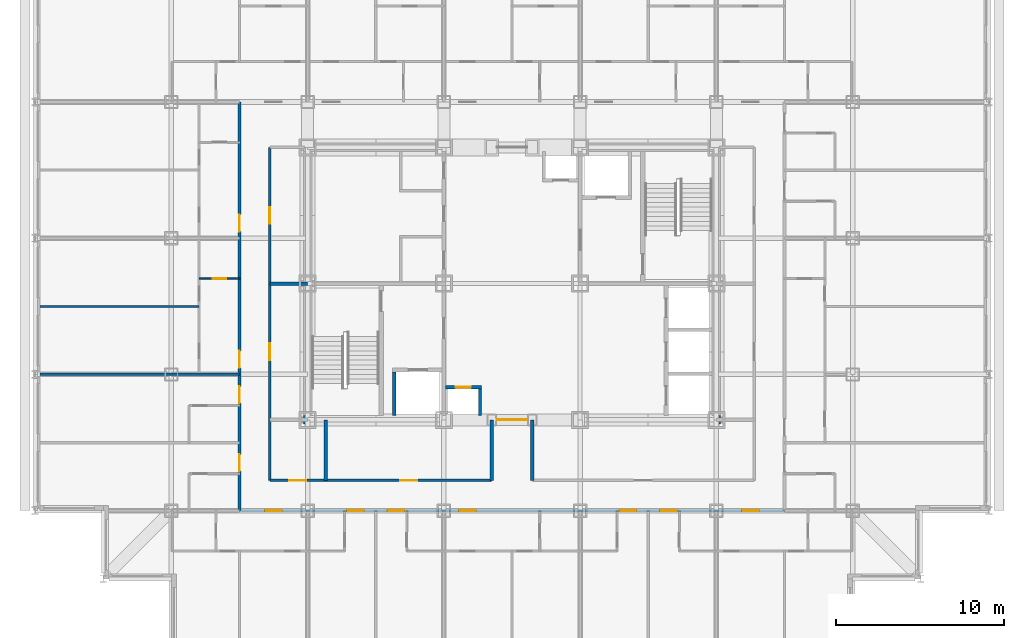
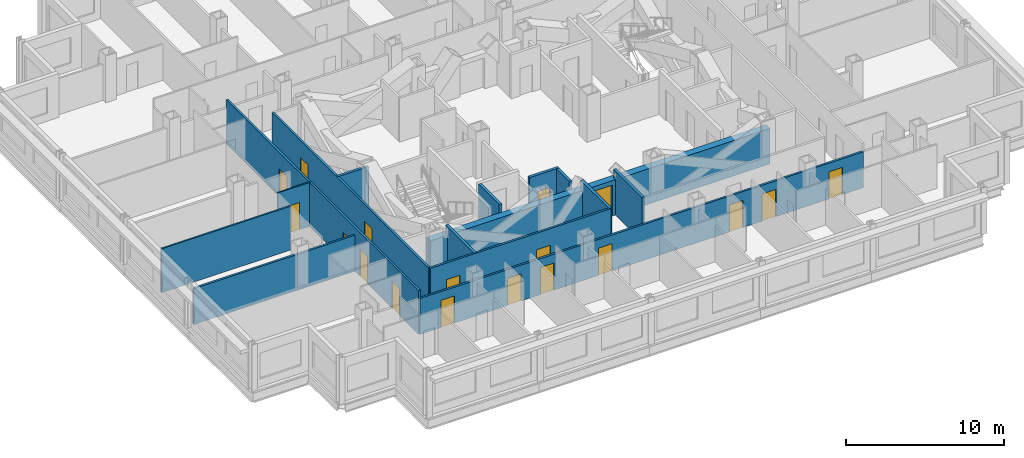
# One storey, part 5 of 12: 18 doors, 15 walls, 18 openings.
"""IFC4 building model written with IfcOpenShell, lengths in metres."""

import ifcopenshell
import ifcopenshell.guid

model = None  # the IFC model being written
_history = None  # IfcOwnerHistory: only IFC2X3 demands one
_inside = {}  # id of a spatial element -> (the spatial element, [elements in it])
_under = {}  # id of a project, library or spatial element -> (it, [spatial elements below it])
_declared = {}  # id of a project -> (the project, [libraries it declares])
_typed = {}  # id of a type object -> (the type object, [elements of that type])
_made_of = {}  # id of a material, layer set ... -> (it, [elements and type objects made of it])


def new_model(schema):
    """Start an empty IFC model of exactly this schema.

    Asked for "IFC4X3", IfcOpenShell would pick the latest addendum, in which some entities
    have other attributes; the version numbers below select the first issue.
    IFC2X3 requires an IfcOwnerHistory on every rooted entity: one is made here for all.
    """
    global model, _history
    if schema == "IFC4X3":
        model = ifcopenshell.file(schema_version=(4, 3, 0, 0))
    else:
        model = ifcopenshell.file(schema=schema)
    _inside.clear()
    _under.clear()
    _declared.clear()
    _typed.clear()
    _made_of.clear()
    _history = None
    if model.schema == "IFC2X3":
        org = make("IfcOrganization", Name="unknown")
        user = make(
            "IfcPersonAndOrganization",
            ThePerson=make("IfcPerson", FamilyName="unknown"),
            TheOrganization=org,
        )
        app = make(
            "IfcApplication",
            ApplicationDeveloper=org,
            Version="unknown",
            ApplicationFullName="unknown",
            ApplicationIdentifier="unknown",
        )
        _history = make(
            "IfcOwnerHistory",
            OwningUser=user,
            OwningApplication=app,
            ChangeAction="ADDED",
            CreationDate=0,
        )
    return model


def make(cls, **values):
    """One entity of the class cls with the attributes given. An attribute that is None is left unset."""
    return model.create_entity(
        cls, **{name: value for name, value in values.items() if value is not None}
    )


def rooted(cls, **values):
    """An entity with a GlobalId (a new one), such as an element, a storey or a relation."""
    return make(cls, GlobalId=ifcopenshell.guid.new(), OwnerHistory=_history, **values)


def si_unit(unit_type, name, prefix=None):
    """IfcSIUnit, for example si_unit("LENGTHUNIT", "METRE", prefix="MILLI")."""
    return make("IfcSIUnit", UnitType=unit_type, Prefix=prefix, Name=name)


def assignment(units):
    """IfcUnitAssignment: the units of a project."""
    return None if units is None else make("IfcUnitAssignment", Units=units)


def point(xyz):
    """IfcCartesianPoint."""
    return None if xyz is None else make("IfcCartesianPoint", Coordinates=xyz)


def direction(xyz):
    """IfcDirection."""
    return None if xyz is None else make("IfcDirection", DirectionRatios=xyz)


def frame(location, z_axis=None, x_axis=None):
    """IfcAxis2Placement3D, a coordinate frame: its origin and axes. An axis left out is left unset."""
    return make(
        "IfcAxis2Placement3D",
        Location=point(location),
        Axis=direction(z_axis),
        RefDirection=direction(x_axis),
    )


def frame_2d(location, x_axis=None):
    """IfcAxis2Placement2D, a coordinate frame in the plane: its origin and x axis."""
    return make(
        "IfcAxis2Placement2D", Location=point(location), RefDirection=direction(x_axis)
    )


def origin():
    """The frame at (0, 0, 0) with its axes left unset."""
    return frame((0.0, 0.0, 0.0))


def place(relative_to, where):
    """IfcLocalPlacement: puts the frame where relative to a parent placement (None: the world)."""
    return make(
        "IfcLocalPlacement", PlacementRelTo=relative_to, RelativePlacement=where
    )


def context(
    kind, dimensions, precision=None, world=None, true_north=None, identifier=None
):
    """IfcGeometricRepresentationContext, for example the 3D "Model" context."""
    return make(
        "IfcGeometricRepresentationContext",
        ContextIdentifier=identifier,
        ContextType=kind,
        CoordinateSpaceDimension=dimensions,
        Precision=precision,
        WorldCoordinateSystem=world,
        TrueNorth=true_north,
    )


def subcontext(parent, identifier, kind, view, scale=None):
    """IfcGeometricRepresentationSubContext, for example "Body" below "Model"."""
    return make(
        "IfcGeometricRepresentationSubContext",
        ContextIdentifier=identifier,
        ContextType=kind,
        ParentContext=parent,
        TargetScale=scale,
        TargetView=view,
    )


def project(units=None, contexts=None):
    """IfcProject with its units and contexts."""
    return rooted(
        "IfcProject",
        Name="project",
        RepresentationContexts=contexts,
        UnitsInContext=assignment(units),
    )


def spatial(cls, under=None, at=None, **own):
    """A site, building, storey or space (cls), placed at a placement, below another one or the project."""
    s = rooted(cls, ObjectPlacement=at, **own)
    if under is not None:
        _under.setdefault(under.id(), (under, []))[1].append(s)
    return s


def profile(cls, at=None, kind="AREA", **sizes):
    """A parametric profile (cls). Its sizes go by their IFC names, for example OverallWidth=200.0."""
    return make(cls, ProfileType=kind, Position=at, **sizes)


def rectangle(**sizes):
    """IfcRectangleProfileDef."""
    return profile("IfcRectangleProfileDef", **sizes)


def extrude(swept, where, along, depth):
    """IfcExtrudedAreaSolid: the profile swept, set in the frame where, extruded along a direction by depth."""
    return make(
        "IfcExtrudedAreaSolid",
        SweptArea=swept,
        Position=where,
        ExtrudedDirection=direction(along),
        Depth=depth,
    )


def shape(context_of_items, identifier, shape_type, items):
    """IfcShapeRepresentation: the items that make up one representation, for example the "Body"."""
    return make(
        "IfcShapeRepresentation",
        ContextOfItems=context_of_items,
        RepresentationIdentifier=identifier,
        RepresentationType=shape_type,
        Items=items,
    )


def material(Name=None, Category=None):
    """IfcMaterial."""
    return make("IfcMaterial", Name=Name, Category=Category)


def layer(
    of_material, thickness, ventilated=None, Name=None, Category=None, Priority=None
):
    """IfcMaterialLayer: one layer of a wall or slab, of a material (None: an air gap)."""
    return make(
        "IfcMaterialLayer",
        Material=of_material,
        LayerThickness=thickness,
        IsVentilated=ventilated,
        Name=Name,
        Category=Category,
        Priority=Priority,
    )


def layer_set(layers, Name=None):
    """IfcMaterialLayerSet."""
    return make("IfcMaterialLayerSet", MaterialLayers=layers, LayerSetName=Name)


def made_of(thing, what):
    """Note that an element or type object is made of a material, layer set ...; save() writes the relation."""
    if what is not None:
        _made_of.setdefault(what.id(), (what, []))[1].append(thing)
    return thing


def type_object(cls, material=None, **own):
    """A type object (cls), such as IfcWallType, which elements share."""
    return made_of(rooted(cls, **own), material)


def element(
    cls,
    number,
    at=None,
    inside=None,
    cuts=None,
    type_object=None,
    material=None,
    context=None,
    identifier="Body",
    shape_type=None,
    held_by="IfcProductDefinitionShape",
    body=None,
    shapes=None,
    **own,
):
    """One element of the class cls, such as IfcWall. Its Tag is "e" and its number.

    at: its placement. inside: the storey or other place that contains it. cuts: it is an
    opening in that element (IfcRelVoidsElement). A single representation is given by context,
    identifier, shape_type and body (its items); several are given by shapes. held_by: the class
    of the entity that holds the representations. save() writes the other relations.
    """
    e = rooted(cls, Tag="e%d" % number, ObjectPlacement=at, **own)
    if body is not None:
        shapes = [shape(context, identifier, shape_type, body)]
    if shapes is not None:
        e.Representation = make(held_by, Representations=shapes)
    if inside is not None:
        _inside.setdefault(inside.id(), (inside, []))[1].append(e)
    if cuts is not None:
        rooted(
            "IfcRelVoidsElement", RelatingBuildingElement=cuts, RelatedOpeningElement=e
        )
    if type_object is not None:
        _typed.setdefault(type_object.id(), (type_object, []))[1].append(e)
    return made_of(e, material)


def fill(opening, filler):
    """IfcRelFillsElement: the door or window that sits in an opening."""
    return rooted(
        "IfcRelFillsElement",
        RelatingOpeningElement=opening,
        RelatedBuildingElement=filler,
    )


def aggregate(whole, parts):
    """IfcRelAggregates: a whole, such as a stair, and the parts it consists of."""
    return rooted("IfcRelAggregates", RelatingObject=whole, RelatedObjects=parts)


def save(model, path):
    """Write the relations noted so far, then the file.

    IfcRelAggregates (storeys below a building ...), IfcRelContainedInSpatialStructure (elements
    in a storey), IfcRelDefinesByType, IfcRelAssociatesMaterial and IfcRelDeclares: one each for
    every whole, place, type object, material and project.
    """
    for whole, parts in _under.values():
        aggregate(whole, parts)
    for where, things in _inside.values():
        rooted(
            "IfcRelContainedInSpatialStructure",
            RelatedElements=things,
            RelatingStructure=where,
        )
    for kind, things in _typed.values():
        rooted("IfcRelDefinesByType", RelatedObjects=things, RelatingType=kind)
    for what, things in _made_of.values():
        rooted("IfcRelAssociatesMaterial", RelatedObjects=things, RelatingMaterial=what)
    for by, libraries in _declared.values():
        rooted("IfcRelDeclares", RelatingContext=by, RelatedDefinitions=libraries)
    model.write(path)


model = new_model("IFC4")

# Units and contexts
model_context = context("Model", 3, precision=1e-05, world=origin(), true_north=direction((0.0, 1.0)))
body_context = subcontext(model_context, "Body", "Model", "MODEL_VIEW")
ifc_project = project(units=[si_unit("LENGTHUNIT", "METRE"), si_unit("AREAUNIT", "SQUARE_METRE"), si_unit("VOLUMEUNIT", "CUBIC_METRE"), si_unit("PLANEANGLEUNIT", "RADIAN"), si_unit("MASSUNIT", "GRAM", prefix="KILO")], contexts=[model_context])

# Site, building, storey
site_placement = place(None, origin())
site = spatial("IfcSite", under=ifc_project, at=site_placement, CompositionType="ELEMENT")
building_placement = place(site_placement, origin())
building = spatial("IfcBuilding", under=site, at=building_placement, Name="Kopane Lantern Tower", CompositionType="ELEMENT")
storey_placement = place(building_placement, frame((0.0, 0.0, 170.39990234375)))
storey = spatial("IfcBuildingStorey", under=building, at=storey_placement, Name="L43", CompositionType="ELEMENT", Elevation=170.39990234375)

# Wall
ifc_material_1 = material(Name="Gypsum board on steel studs", Category="steel")
ifc_layer_1 = layer(ifc_material_1, 0.1201171875)
ifc_layer_set_1 = layer_set([ifc_layer_1], Name="APARTMENT INTERNAL WALL 120")
wall_type_1 = type_object("IfcWallType", Name="APARTMENT INTERNAL WALL 120", PredefinedType="PARTITIONING", material=ifc_layer_set_1)
wall_1_placement = place(storey_placement, frame((9.75, 31.050048828125, 0.0), z_axis=(0.0, 0.0, 1.0), x_axis=(-1.0, 0.0, 0.0)))
element("IfcWall", 1, at=wall_1_placement, inside=storey, type_object=wall_type_1, Name="Apartment Internal Wall 120 L43", PredefinedType="PARTITIONING", context=body_context, shape_type="SweptSolid", body=[
    extrude(rectangle(XDim=9.449951171875, YDim=0.1201171875, at=frame_2d((4.72509765625, 0.0))), origin(), (0.0, 0.0, 1.0), 3.39013671875),
])

# Wall, opening, door
ifc_material_2 = material(Name="Moisture-resistant board on steel studs", Category="steel")
ifc_layer_2 = layer(ifc_material_2, 0.10009765625)
ifc_layer_set_2 = layer_set([ifc_layer_2], Name="BATHROOM WALL 100")
wall_type_2 = type_object("IfcWallType", Name="BATHROOM WALL 100", PredefinedType="PARTITIONING", material=ifc_layer_set_2)
wall_2_placement = place(storey_placement, frame((12.14990234375, 32.699951171875, 0.0), z_axis=(0.0, 0.0, 1.0), x_axis=(-1.0, 0.0, 0.0)))
wall_2 = element("IfcWall", 2, at=wall_2_placement, inside=storey, type_object=wall_type_2, Name="Bathroom Wall 100 L43", PredefinedType="PARTITIONING", context=body_context, shape_type="SweptSolid", body=[
    extrude(rectangle(XDim=2.39990234375, YDim=0.10009765625, at=frame_2d((1.199951171875, 0.0))), origin(), (0.0, 0.0, 1.0), 3.39013671875),
])
opening_1_placement = place(wall_2_placement, frame((0.800048828125, 0.0, 0.0)))
opening_1 = element("IfcOpeningElement", 3, at=opening_1_placement, cuts=wall_2, Name="Opening L43-036", PredefinedType="OPENING", context=body_context, shape_type="SweptSolid", body=[
    extrude(rectangle(XDim=0.800048828125, YDim=2.10009765625, at=frame_2d((0.39990234375, 1.050048828125))), frame((0.0, 0.06005859375, 0.0), z_axis=(0.0, -1.0, 0.0), x_axis=(1.0, 0.0, 0.0)), (0.0, 0.0, 1.0), 0.1201171875),
])
ifc_material_3 = material(Name="Timber door set", Category="wood")
door_type_1 = type_object("IfcDoorType", Name="DOOR D2 800x2100", OperationType="SINGLE_SWING_LEFT", PredefinedType="DOOR", material=ifc_material_3)
door_1_placement = place(opening_1_placement, origin())
door_1 = element("IfcDoor", 4, at=door_1_placement, inside=storey, type_object=door_type_1, Name="Door L43-036", OperationType="SINGLE_SWING_RIGHT", OverallHeight=2.10009765625, OverallWidth=0.800048828125, PredefinedType="DOOR", context=body_context, shape_type="SweptSolid", body=[
    extrude(rectangle(XDim=0.800048828125, YDim=2.10009765625, at=frame_2d((0.39990234375, 1.050048828125))), frame((0.0, 0.02490234375, 0.0), z_axis=(0.0, -1.0, 0.0), x_axis=(1.0, 0.0, 0.0)), (0.0, 0.0, 1.0), 0.050048828125),
])
fill(opening_1, door_1)

ifc_material_4 = material(Name="Gypsum shaft wall EI 120", Category="gypsum")
ifc_layer_3 = layer(ifc_material_4, 0.5)
ifc_layer_set_3 = layer_set([ifc_layer_3], Name="CORE PERIMETER WALL 500 EI 120")
wall_type_3 = type_object("IfcWallType", Name="CORE PERIMETER WALL 500 EI 120", PredefinedType="SOLIDWALL", material=ifc_layer_set_3)
wall_3_placement = place(storey_placement, frame((15.949951171875, 24.300048828125, 0.0), z_axis=(0.0, 0.0, 1.0), x_axis=(1.0, 0.0, 0.0)))
wall_3 = element("IfcWall", 5, at=wall_3_placement, inside=storey, type_object=wall_type_3, Name="Core shaft wall L43 PS", PredefinedType="SOLIDWALL", context=body_context, shape_type="SweptSolid", body=[
    extrude(rectangle(XDim=24.800048828125, YDim=0.5, at=frame_2d((12.39990234375, 0.0))), origin(), (0.0, 0.0, 1.0), 2.739990234375),
])
opening_2_placement = place(wall_3_placement, frame((11.5, 0.0, 0.0)))
opening_2 = element("IfcOpeningElement", 6, at=opening_2_placement, cuts=wall_3, Name="Opening 43.CE-S", PredefinedType="OPENING", context=body_context, shape_type="SweptSolid", body=[
    extrude(rectangle(XDim=1.800048828125, YDim=2.39990234375, at=frame_2d((0.89990234375, 1.199951171875))), frame((0.0, 0.260009765625, 0.0), z_axis=(0.0, -1.0, 0.0), x_axis=(1.0, 0.0, 0.0)), (0.0, 0.0, 1.0), 0.52001953125),
])
ifc_material_5 = material(Name="Steel door set", Category="steel")
door_type_2 = type_object("IfcDoorType", Name="CORE ENTRY DOOR 1800x2400 FD60S", OperationType="DOUBLE_DOOR_SINGLE_SWING", PredefinedType="DOOR", material=ifc_material_5)
door_2_placement = place(opening_2_placement, origin())
door_2 = element("IfcDoor", 7, at=door_2_placement, inside=storey, type_object=door_type_2, Name="Core entry door L43 south", OperationType="DOUBLE_DOOR_SINGLE_SWING", OverallHeight=2.39990234375, OverallWidth=1.800048828125, PredefinedType="DOOR", context=body_context, shape_type="SweptSolid", body=[
    extrude(rectangle(XDim=1.800048828125, YDim=2.39990234375, at=frame_2d((0.89990234375, 1.199951171875))), frame((0.0, 0.02490234375, 0.0), z_axis=(0.0, -1.0, 0.0), x_axis=(1.0, 0.0, 0.0)), (0.0, 0.0, 1.0), 0.050048828125),
])
fill(opening_2, door_2)

# Wall, openings, doors
ifc_material_6 = material(Name="Gypsum board on steel studs", Category="steel")
ifc_layer_4 = layer(ifc_material_6, 0.14990234375)
ifc_layer_set_4 = layer_set([ifc_layer_4], Name="CORRIDOR WALL 150 EI 60")
wall_type_4 = type_object("IfcWallType", Name="CORRIDOR WALL 150 EI 60", PredefinedType="PARTITIONING", material=ifc_layer_set_4)
wall_4_placement = place(storey_placement, frame((12.14990234375, 18.89990234375, 0.0), z_axis=(0.0, 0.0, 1.0), x_axis=(1.0, 0.0, 0.0)))
wall_4 = element("IfcWall", 8, at=wall_4_placement, inside=storey, type_object=wall_type_4, Name="Corridor Wall 150 Ei 60 L43", PredefinedType="PARTITIONING", context=body_context, shape_type="SweptSolid", body=[
    extrude(rectangle(XDim=32.400146484375, YDim=0.14990234375, at=frame_2d((16.2001953125, 0.0))), origin(), (0.0, 0.0, 1.0), 2.77783203125),
])
opening_3_placement = place(wall_4_placement, frame((6.39990234375, 0.0, 0.0)))
opening_3 = element("IfcOpeningElement", 9, at=opening_3_placement, cuts=wall_4, Name="Opening L43-009", PredefinedType="OPENING", context=body_context, shape_type="SweptSolid", body=[
    extrude(rectangle(XDim=1.0, YDim=2.10009765625, at=frame_2d((0.5, 1.050048828125))), frame((0.0, 0.0849609375, 0.0), z_axis=(0.0, -1.0, 0.0), x_axis=(1.0, 0.0, 0.0)), (0.0, 0.0, 1.0), 0.169921875),
])
opening_4_placement = place(wall_4_placement, frame((8.800048828125, 0.0, 0.0)))
opening_4 = element("IfcOpeningElement", 10, at=opening_4_placement, cuts=wall_4, Name="Opening L43-011", PredefinedType="OPENING", context=body_context, shape_type="SweptSolid", body=[
    extrude(rectangle(XDim=1.0, YDim=2.10009765625, at=frame_2d((0.5, 1.050048828125))), frame((0.0, 0.0849609375, 0.0), z_axis=(0.0, -1.0, 0.0), x_axis=(1.0, 0.0, 0.0)), (0.0, 0.0, 1.0), 0.169921875),
])
opening_5_placement = place(wall_4_placement, frame((13.050048828125, 0.0, 0.0)))
opening_5 = element("IfcOpeningElement", 11, at=opening_5_placement, cuts=wall_4, Name="Opening L43-013", PredefinedType="OPENING", context=body_context, shape_type="SweptSolid", body=[
    extrude(rectangle(XDim=1.0, YDim=2.10009765625, at=frame_2d((0.5, 1.050048828125))), frame((0.0, 0.0849609375, 0.0), z_axis=(0.0, -1.0, 0.0), x_axis=(1.0, 0.0, 0.0)), (0.0, 0.0, 1.0), 0.169921875),
])
opening_6_placement = place(wall_4_placement, frame((22.60009765625, 0.0, 0.0)))
opening_6 = element("IfcOpeningElement", 12, at=opening_6_placement, cuts=wall_4, Name="Opening L43-017", PredefinedType="OPENING", context=body_context, shape_type="SweptSolid", body=[
    extrude(rectangle(XDim=1.0, YDim=2.10009765625, at=frame_2d((0.5, 1.050048828125))), frame((0.0, 0.0849609375, 0.0), z_axis=(0.0, -1.0, 0.0), x_axis=(1.0, 0.0, 0.0)), (0.0, 0.0, 1.0), 0.169921875),
])
opening_7_placement = place(wall_4_placement, frame((25.0, 0.0, 0.0)))
opening_7 = element("IfcOpeningElement", 13, at=opening_7_placement, cuts=wall_4, Name="Opening L43-019", PredefinedType="OPENING", context=body_context, shape_type="SweptSolid", body=[
    extrude(rectangle(XDim=1.0, YDim=2.10009765625, at=frame_2d((0.5, 1.050048828125))), frame((0.0, 0.0849609375, 0.0), z_axis=(0.0, -1.0, 0.0), x_axis=(1.0, 0.0, 0.0)), (0.0, 0.0, 1.0), 0.169921875),
])
opening_8_placement = place(wall_4_placement, frame((1.52490234375, 0.0, 0.0)))
opening_8 = element("IfcOpeningElement", 14, at=opening_8_placement, cuts=wall_4, Name="Opening L43-054", PredefinedType="OPENING", context=body_context, shape_type="SweptSolid", body=[
    extrude(rectangle(XDim=1.0, YDim=2.10009765625, at=frame_2d((0.5, 1.050048828125))), frame((0.0, 0.0849609375, 0.0), z_axis=(0.0, -1.0, 0.0), x_axis=(1.0, 0.0, 0.0)), (0.0, 0.0, 1.0), 0.169921875),
])
opening_9_placement = place(wall_4_placement, frame((29.875, 0.0, 0.0)))
opening_9 = element("IfcOpeningElement", 15, at=opening_9_placement, cuts=wall_4, Name="Opening L43-058", PredefinedType="OPENING", context=body_context, shape_type="SweptSolid", body=[
    extrude(rectangle(XDim=1.0, YDim=2.10009765625, at=frame_2d((0.5, 1.050048828125))), frame((0.0, 0.0849609375, 0.0), z_axis=(0.0, -1.0, 0.0), x_axis=(1.0, 0.0, 0.0)), (0.0, 0.0, 1.0), 0.169921875),
])
ifc_material_7 = material(Name="Steel door set", Category="steel")
door_type_3 = type_object("IfcDoorType", Name="DOOR D3 1000x2100 FD30S", OperationType="SINGLE_SWING_LEFT", PredefinedType="DOOR", material=ifc_material_7)
door_3_placement = place(opening_3_placement, origin())
door_3 = element("IfcDoor", 16, at=door_3_placement, inside=storey, type_object=door_type_3, Name="Door L43-009", OperationType="SINGLE_SWING_RIGHT", OverallHeight=2.10009765625, OverallWidth=1.0, PredefinedType="DOOR", context=body_context, shape_type="SweptSolid", body=[
    extrude(rectangle(XDim=1.0, YDim=2.10009765625, at=frame_2d((0.5, 1.050048828125))), frame((0.0, 0.02490234375, 0.0), z_axis=(0.0, -1.0, 0.0), x_axis=(1.0, 0.0, 0.0)), (0.0, 0.0, 1.0), 0.050048828125),
])
fill(opening_3, door_3)
door_4_placement = place(opening_4_placement, origin())
door_4 = element("IfcDoor", 17, at=door_4_placement, inside=storey, type_object=door_type_3, Name="Door L43-011", OperationType="SINGLE_SWING_LEFT", OverallHeight=2.10009765625, OverallWidth=1.0, PredefinedType="DOOR", context=body_context, shape_type="SweptSolid", body=[
    extrude(rectangle(XDim=1.0, YDim=2.10009765625, at=frame_2d((0.5, 1.050048828125))), frame((0.0, 0.02490234375, 0.0), z_axis=(0.0, -1.0, 0.0), x_axis=(1.0, 0.0, 0.0)), (0.0, 0.0, 1.0), 0.050048828125),
])
fill(opening_4, door_4)
door_5_placement = place(opening_5_placement, origin())
door_5 = element("IfcDoor", 18, at=door_5_placement, inside=storey, type_object=door_type_3, Name="Door L43-013", OperationType="SINGLE_SWING_RIGHT", OverallHeight=2.10009765625, OverallWidth=1.0, PredefinedType="DOOR", context=body_context, shape_type="SweptSolid", body=[
    extrude(rectangle(XDim=1.0, YDim=2.10009765625, at=frame_2d((0.5, 1.050048828125))), frame((0.0, 0.02490234375, 0.0), z_axis=(0.0, -1.0, 0.0), x_axis=(1.0, 0.0, 0.0)), (0.0, 0.0, 1.0), 0.050048828125),
])
fill(opening_5, door_5)
door_6_placement = place(opening_6_placement, origin())
door_6 = element("IfcDoor", 19, at=door_6_placement, inside=storey, type_object=door_type_3, Name="Door L43-017", OperationType="SINGLE_SWING_RIGHT", OverallHeight=2.10009765625, OverallWidth=1.0, PredefinedType="DOOR", context=body_context, shape_type="SweptSolid", body=[
    extrude(rectangle(XDim=1.0, YDim=2.10009765625, at=frame_2d((0.5, 1.050048828125))), frame((0.0, 0.02490234375, 0.0), z_axis=(0.0, -1.0, 0.0), x_axis=(1.0, 0.0, 0.0)), (0.0, 0.0, 1.0), 0.050048828125),
])
fill(opening_6, door_6)
door_7_placement = place(opening_7_placement, origin())
door_7 = element("IfcDoor", 20, at=door_7_placement, inside=storey, type_object=door_type_3, Name="Door L43-019", OperationType="SINGLE_SWING_LEFT", OverallHeight=2.10009765625, OverallWidth=1.0, PredefinedType="DOOR", context=body_context, shape_type="SweptSolid", body=[
    extrude(rectangle(XDim=1.0, YDim=2.10009765625, at=frame_2d((0.5, 1.050048828125))), frame((0.0, 0.02490234375, 0.0), z_axis=(0.0, -1.0, 0.0), x_axis=(1.0, 0.0, 0.0)), (0.0, 0.0, 1.0), 0.050048828125),
])
fill(opening_7, door_7)
door_8_placement = place(opening_8_placement, origin())
door_8 = element("IfcDoor", 21, at=door_8_placement, inside=storey, type_object=door_type_3, Name="Door L43-054", OperationType="SINGLE_SWING_LEFT", OverallHeight=2.10009765625, OverallWidth=1.0, PredefinedType="DOOR", context=body_context, shape_type="SweptSolid", body=[
    extrude(rectangle(XDim=1.0, YDim=2.10009765625, at=frame_2d((0.5, 1.050048828125))), frame((0.0, 0.02490234375, 0.0), z_axis=(0.0, -1.0, 0.0), x_axis=(1.0, 0.0, 0.0)), (0.0, 0.0, 1.0), 0.050048828125),
])
fill(opening_8, door_8)
door_9_placement = place(opening_9_placement, origin())
door_9 = element("IfcDoor", 22, at=door_9_placement, inside=storey, type_object=door_type_3, Name="Door L43-058", OperationType="SINGLE_SWING_RIGHT", OverallHeight=2.10009765625, OverallWidth=1.0, PredefinedType="DOOR", context=body_context, shape_type="SweptSolid", body=[
    extrude(rectangle(XDim=1.0, YDim=2.10009765625, at=frame_2d((0.5, 1.050048828125))), frame((0.0, 0.02490234375, 0.0), z_axis=(0.0, -1.0, 0.0), x_axis=(1.0, 0.0, 0.0)), (0.0, 0.0, 1.0), 0.050048828125),
])
fill(opening_9, door_9)

wall_5_placement = place(storey_placement, frame((12.14990234375, 18.89990234375, 0.0), z_axis=(0.0, 0.0, 1.0), x_axis=(0.0, 1.0, 0.0)))
wall_5 = element("IfcWall", 23, at=wall_5_placement, inside=storey, type_object=wall_type_4, Name="Corridor Wall 150 Ei 60 L43", PredefinedType="PARTITIONING", context=body_context, shape_type="SweptSolid", body=[
    extrude(rectangle(XDim=24.300048828125, YDim=0.14990234375, at=frame_2d((12.14990234375, 0.0))), origin(), (0.0, 0.0, 1.0), 3.39013671875),
])
opening_10_placement = place(wall_5_placement, frame((2.35009765625, 0.0, 0.0)))
opening_10 = element("IfcOpeningElement", 24, at=opening_10_placement, cuts=wall_5, Name="Opening L43-033", PredefinedType="OPENING", context=body_context, shape_type="SweptSolid", body=[
    extrude(rectangle(XDim=1.0, YDim=2.10009765625, at=frame_2d((0.5, 1.050048828125))), frame((0.0, 0.0849609375, 0.0), z_axis=(0.0, -1.0, 0.0), x_axis=(1.0, 0.0, 0.0)), (0.0, 0.0, 1.0), 0.169921875),
])
opening_11_placement = place(wall_5_placement, frame((6.39990234375, 0.0, 0.0)))
opening_11 = element("IfcOpeningElement", 25, at=opening_11_placement, cuts=wall_5, Name="Opening L43-035", PredefinedType="OPENING", context=body_context, shape_type="SweptSolid", body=[
    extrude(rectangle(XDim=1.0, YDim=2.10009765625, at=frame_2d((0.5, 1.050048828125))), frame((0.0, 0.0849609375, 0.0), z_axis=(0.0, -1.0, 0.0), x_axis=(1.0, 0.0, 0.0)), (0.0, 0.0, 1.0), 0.169921875),
])
opening_12_placement = place(wall_5_placement, frame((8.5, 0.0, 0.0)))
opening_12 = element("IfcOpeningElement", 26, at=opening_12_placement, cuts=wall_5, Name="Opening L43-037", PredefinedType="OPENING", context=body_context, shape_type="SweptSolid", body=[
    extrude(rectangle(XDim=1.0, YDim=2.10009765625, at=frame_2d((0.5, 1.050048828125))), frame((0.0, 0.0849609375, 0.0), z_axis=(0.0, -1.0, 0.0), x_axis=(1.0, 0.0, 0.0)), (0.0, 0.0, 1.0), 0.169921875),
])
opening_13_placement = place(wall_5_placement, frame((16.60009765625, 0.0, 0.0)))
opening_13 = element("IfcOpeningElement", 27, at=opening_13_placement, cuts=wall_5, Name="Opening L43-041", PredefinedType="OPENING", context=body_context, shape_type="SweptSolid", body=[
    extrude(rectangle(XDim=1.0, YDim=2.10009765625, at=frame_2d((0.5, 1.050048828125))), frame((0.0, 0.0849609375, 0.0), z_axis=(0.0, -1.0, 0.0), x_axis=(1.0, 0.0, 0.0)), (0.0, 0.0, 1.0), 0.169921875),
])
door_10_placement = place(opening_10_placement, origin())
door_10 = element("IfcDoor", 28, at=door_10_placement, inside=storey, type_object=door_type_3, Name="Door L43-033", OperationType="SINGLE_SWING_LEFT", OverallHeight=2.10009765625, OverallWidth=1.0, PredefinedType="DOOR", context=body_context, shape_type="SweptSolid", body=[
    extrude(rectangle(XDim=1.0, YDim=2.10009765625, at=frame_2d((0.5, 1.050048828125))), frame((0.0, 0.02490234375, 0.0), z_axis=(0.0, -1.0, 0.0), x_axis=(1.0, 0.0, 0.0)), (0.0, 0.0, 1.0), 0.050048828125),
])
fill(opening_10, door_10)
door_11_placement = place(opening_11_placement, origin())
door_11 = element("IfcDoor", 29, at=door_11_placement, inside=storey, type_object=door_type_3, Name="Door L43-035", OperationType="SINGLE_SWING_LEFT", OverallHeight=2.10009765625, OverallWidth=1.0, PredefinedType="DOOR", context=body_context, shape_type="SweptSolid", body=[
    extrude(rectangle(XDim=1.0, YDim=2.10009765625, at=frame_2d((0.5, 1.050048828125))), frame((0.0, 0.02490234375, 0.0), z_axis=(0.0, -1.0, 0.0), x_axis=(1.0, 0.0, 0.0)), (0.0, 0.0, 1.0), 0.050048828125),
])
fill(opening_11, door_11)
door_12_placement = place(opening_12_placement, origin())
door_12 = element("IfcDoor", 30, at=door_12_placement, inside=storey, type_object=door_type_3, Name="Door L43-037", OperationType="SINGLE_SWING_LEFT", OverallHeight=2.10009765625, OverallWidth=1.0, PredefinedType="DOOR", context=body_context, shape_type="SweptSolid", body=[
    extrude(rectangle(XDim=1.0, YDim=2.10009765625, at=frame_2d((0.5, 1.050048828125))), frame((0.0, 0.02490234375, 0.0), z_axis=(0.0, -1.0, 0.0), x_axis=(1.0, 0.0, 0.0)), (0.0, 0.0, 1.0), 0.050048828125),
])
fill(opening_12, door_12)
door_13_placement = place(opening_13_placement, origin())
door_13 = element("IfcDoor", 31, at=door_13_placement, inside=storey, type_object=door_type_3, Name="Door L43-041", OperationType="SINGLE_SWING_LEFT", OverallHeight=2.10009765625, OverallWidth=1.0, PredefinedType="DOOR", context=body_context, shape_type="SweptSolid", body=[
    extrude(rectangle(XDim=1.0, YDim=2.10009765625, at=frame_2d((0.5, 1.050048828125))), frame((0.0, 0.02490234375, 0.0), z_axis=(0.0, -1.0, 0.0), x_axis=(1.0, 0.0, 0.0)), (0.0, 0.0, 1.0), 0.050048828125),
])
fill(opening_13, door_13)

wall_6_placement = place(storey_placement, frame((13.949951171875, 40.5, 0.0), z_axis=(0.0, 0.0, 1.0), x_axis=(0.0, -1.0, 0.0)))
wall_6 = element("IfcWall", 32, at=wall_6_placement, inside=storey, type_object=wall_type_4, Name="Corridor Wall 150 Ei 60 L43", PredefinedType="PARTITIONING", context=body_context, shape_type="SweptSolid", body=[
    extrude(rectangle(XDim=19.800048828125, YDim=0.14990234375, at=frame_2d((9.89990234375, 0.0))), origin(), (0.0, 0.0, 1.0), 3.39013671875),
])
opening_14_placement = place(wall_6_placement, frame((11.64990234375, 0.0, 0.0)))
opening_14 = element("IfcOpeningElement", 33, at=opening_14_placement, cuts=wall_6, Name="Opening L43-001", PredefinedType="OPENING", context=body_context, shape_type="SweptSolid", body=[
    extrude(rectangle(XDim=1.0, YDim=2.10009765625, at=frame_2d((0.5, 1.050048828125))), frame((0.0, 0.0849609375, 0.0), z_axis=(0.0, -1.0, 0.0), x_axis=(1.0, 0.0, 0.0)), (0.0, 0.0, 1.0), 0.169921875),
])
opening_15_placement = place(wall_6_placement, frame((3.550048828125, 0.0, 0.0)))
opening_15 = element("IfcOpeningElement", 34, at=opening_15_placement, cuts=wall_6, Name="Opening L43-002", PredefinedType="OPENING", context=body_context, shape_type="SweptSolid", body=[
    extrude(rectangle(XDim=1.0, YDim=2.10009765625, at=frame_2d((0.5, 1.050048828125))), frame((0.0, 0.0849609375, 0.0), z_axis=(0.0, -1.0, 0.0), x_axis=(1.0, 0.0, 0.0)), (0.0, 0.0, 1.0), 0.169921875),
])
ifc_material_8 = material(Name="Steel door set", Category="steel")
door_type_4 = type_object("IfcDoorType", Name="DOOR D5 1000x2100 FD60", OperationType="SINGLE_SWING_LEFT", PredefinedType="DOOR", material=ifc_material_8)
door_14_placement = place(opening_14_placement, origin())
door_14 = element("IfcDoor", 35, at=door_14_placement, inside=storey, type_object=door_type_4, Name="Door L43-001", OperationType="SINGLE_SWING_RIGHT", OverallHeight=2.10009765625, OverallWidth=1.0, PredefinedType="DOOR", context=body_context, shape_type="SweptSolid", body=[
    extrude(rectangle(XDim=1.0, YDim=2.10009765625, at=frame_2d((0.5, 1.050048828125))), frame((0.0, 0.02490234375, 0.0), z_axis=(0.0, -1.0, 0.0), x_axis=(1.0, 0.0, 0.0)), (0.0, 0.0, 1.0), 0.050048828125),
])
fill(opening_14, door_14)
door_15_placement = place(opening_15_placement, origin())
door_15 = element("IfcDoor", 36, at=door_15_placement, inside=storey, type_object=door_type_4, Name="Door L43-002", OperationType="SINGLE_SWING_LEFT", OverallHeight=2.10009765625, OverallWidth=1.0, PredefinedType="DOOR", context=body_context, shape_type="SweptSolid", body=[
    extrude(rectangle(XDim=1.0, YDim=2.10009765625, at=frame_2d((0.5, 1.050048828125))), frame((0.0, 0.02490234375, 0.0), z_axis=(0.0, -1.0, 0.0), x_axis=(1.0, 0.0, 0.0)), (0.0, 0.0, 1.0), 0.050048828125),
])
fill(opening_15, door_15)

wall_7_placement = place(storey_placement, frame((13.949951171875, 20.699951171875, 0.0), z_axis=(0.0, 0.0, 1.0), x_axis=(1.0, 0.0, 0.0)))
wall_7 = element("IfcWall", 37, at=wall_7_placement, inside=storey, type_object=wall_type_4, Name="Corridor Wall 150 Ei 60 L43", PredefinedType="PARTITIONING", context=body_context, shape_type="SweptSolid", body=[
    extrude(rectangle(XDim=13.18994140625, YDim=0.14990234375, at=frame_2d((6.594970703125, 0.0))), origin(), (0.0, 0.0, 1.0), 3.39013671875),
])
opening_16_placement = place(wall_7_placement, frame((1.166748046875, 0.0, 0.0)))
opening_16 = element("IfcOpeningElement", 38, at=opening_16_placement, cuts=wall_7, Name="Opening L43-005", PredefinedType="OPENING", context=body_context, shape_type="SweptSolid", body=[
    extrude(rectangle(XDim=1.0, YDim=2.10009765625, at=frame_2d((0.5, 1.050048828125))), frame((0.0, 0.0849609375, 0.0), z_axis=(0.0, -1.0, 0.0), x_axis=(1.0, 0.0, 0.0)), (0.0, 0.0, 1.0), 0.169921875),
])
opening_17_placement = place(wall_7_placement, frame((7.7666015625, 0.0, 0.0)))
opening_17 = element("IfcOpeningElement", 39, at=opening_17_placement, cuts=wall_7, Name="Opening L43-006", PredefinedType="OPENING", context=body_context, shape_type="SweptSolid", body=[
    extrude(rectangle(XDim=1.0, YDim=2.10009765625, at=frame_2d((0.5, 1.050048828125))), frame((0.0, 0.0849609375, 0.0), z_axis=(0.0, -1.0, 0.0), x_axis=(1.0, 0.0, 0.0)), (0.0, 0.0, 1.0), 0.169921875),
])
door_16_placement = place(opening_16_placement, origin())
door_16 = element("IfcDoor", 40, at=door_16_placement, inside=storey, type_object=door_type_4, Name="Door L43-005", OperationType="SINGLE_SWING_LEFT", OverallHeight=2.10009765625, OverallWidth=1.0, PredefinedType="DOOR", context=body_context, shape_type="SweptSolid", body=[
    extrude(rectangle(XDim=1.0, YDim=2.10009765625, at=frame_2d((0.5, 1.050048828125))), frame((0.0, 0.02490234375, 0.0), z_axis=(0.0, -1.0, 0.0), x_axis=(1.0, 0.0, 0.0)), (0.0, 0.0, 1.0), 0.050048828125),
])
fill(opening_16, door_16)
door_17_placement = place(opening_17_placement, origin())
door_17 = element("IfcDoor", 41, at=door_17_placement, inside=storey, type_object=door_type_4, Name="Door L43-006", OperationType="SINGLE_SWING_RIGHT", OverallHeight=2.10009765625, OverallWidth=1.0, PredefinedType="DOOR", context=body_context, shape_type="SweptSolid", body=[
    extrude(rectangle(XDim=1.0, YDim=2.10009765625, at=frame_2d((0.5, 1.050048828125))), frame((0.0, 0.02490234375, 0.0), z_axis=(0.0, -1.0, 0.0), x_axis=(1.0, 0.0, 0.0)), (0.0, 0.0, 1.0), 0.050048828125),
])
fill(opening_17, door_17)

# Walls
ifc_material_9 = material(Name="Gypsum board on steel studs", Category="steel")
ifc_layer_5 = layer(ifc_material_9, 0.14990234375)
ifc_layer_set_5 = layer_set([ifc_layer_5], Name="DEMISING WALL 150 EI 60")
wall_type_5 = type_object("IfcWallType", Name="DEMISING WALL 150 EI 60", PredefinedType="PARTITIONING", material=ifc_layer_set_5)
wall_8_placement = place(storey_placement, frame((12.14990234375, 27.0, 0.0), z_axis=(0.0, 0.0, 1.0), x_axis=(-1.0, 0.0, 0.0)))
element("IfcWall", 42, at=wall_8_placement, inside=storey, type_object=wall_type_5, Name="Demising Wall 150 Ei 60 L43", PredefinedType="PARTITIONING", context=body_context, shape_type="SweptSolid", body=[
    extrude(rectangle(XDim=11.849853515625, YDim=0.14990234375, at=frame_2d((5.9248046875, 0.0))), origin(), (0.0, 0.0, 1.0), 2.77783203125),
])
ifc_material_10 = material(Name="Concrete masonry", Category="masonry")
ifc_layer_6 = layer(ifc_material_10, 0.199951171875)
ifc_layer_set_6 = layer_set([ifc_layer_6], Name="PLANT ROOM WALL 200 EI 120")
wall_type_6 = type_object("IfcWallType", Name="PLANT ROOM WALL 200 EI 120", PredefinedType="SOLIDWALL", material=ifc_layer_set_6)
wall_9_placement = place(storey_placement, frame((13.949951171875, 32.39990234375, 0.0), z_axis=(0.0, 0.0, 1.0), x_axis=(1.0, 0.0, 0.0)))
element("IfcWall", 43, at=wall_9_placement, inside=storey, type_object=wall_type_6, Name="Plant Room Wall 200 Ei 120 L43", PredefinedType="SOLIDWALL", context=body_context, shape_type="SweptSolid", body=[
    extrude(rectangle(XDim=2.25, YDim=0.199951171875, at=frame_2d((1.125, 0.0))), origin(), (0.0, 0.0, 1.0), 3.39013671875),
])
for number, where, z_axis, x_axis, name in (
    (44, (17.283203125, 20.699951171875, 0.0), (0.0, 0.0, 1.0), (0.0, 1.0, 0.0), "Plant Room Wall 200 Ei 120 L43"),
    (45, (27.14990234375, 20.699951171875, 0.0), (0.0, 0.0, 1.0), (0.0, 1.0, 0.0), "Plant Room Wall 200 Ei 120 L43"),
    (46, (29.550048828125, 20.699951171875, 0.0), (0.0, 0.0, 1.0), (0.0, 1.0, 0.0), "Plant Room Wall 200 Ei 120 L43"),
):
    element("IfcWall", number, at=place(storey_placement, frame(where, z_axis=z_axis, x_axis=x_axis)), inside=storey, type_object=wall_type_6, Name=name, PredefinedType="SOLIDWALL", context=body_context, shape_type="SweptSolid", body=[
        extrude(rectangle(XDim=3.60009765625, YDim=0.199951171875, at=frame_2d((1.800048828125, 0.0))), origin(), (0.0, 0.0, 1.0), 3.39013671875),
    ])
ifc_material_11 = material(Name="Gypsum shaft wall EI 120", Category="gypsum")
ifc_layer_7 = layer(ifc_material_11, 0.199951171875)
ifc_layer_set_7 = layer_set([ifc_layer_7], Name="SHAFT WALL 200 EI 120")
wall_type_7 = type_object("IfcWallType", Name="SHAFT WALL 200 EI 120", PredefinedType="SOLIDWALL", material=ifc_layer_set_7)
wall_10_placement = place(storey_placement, frame((21.35009765625, 24.550048828125, 0.0), z_axis=(0.0, 0.0, 1.0), x_axis=(0.0, 1.0, 0.0)))
element("IfcWall", 47, at=wall_10_placement, inside=storey, type_object=wall_type_7, Name="Core shaft wall L43 XLF1", PredefinedType="SOLIDWALL", context=body_context, shape_type="SweptSolid", body=[
    extrude(rectangle(XDim=2.599853515625, YDim=0.199951171875, at=frame_2d((1.2998046875, 0.0))), origin(), (0.0, 0.0, 1.0), 3.39013671875),
])
wall_11_placement = place(storey_placement, frame((26.449951171875, 24.550048828125, 0.0), z_axis=(0.0, 0.0, 1.0), x_axis=(0.0, 1.0, 0.0)))
element("IfcWall", 48, at=wall_11_placement, inside=storey, type_object=wall_type_7, Name="Core shaft wall L43 XRS1", PredefinedType="SOLIDWALL", context=body_context, shape_type="SweptSolid", body=[
    extrude(rectangle(XDim=1.599853515625, YDim=0.199951171875, at=frame_2d((0.7998046875, 0.0))), origin(), (0.0, 0.0, 1.0), 3.39013671875),
])

# Wall, opening, door
wall_12_placement = place(storey_placement, frame((24.39990234375, 26.25, 0.0), z_axis=(0.0, 0.0, 1.0), x_axis=(1.0, 0.0, 0.0)))
wall_12 = element("IfcWall", 49, at=wall_12_placement, inside=storey, type_object=wall_type_7, Name="Core shaft wall L43 YRS1", PredefinedType="SOLIDWALL", context=body_context, shape_type="SweptSolid", body=[
    extrude(rectangle(XDim=2.150146484375, YDim=0.199951171875, at=frame_2d((1.0751953125, 0.0))), origin(), (0.0, 0.0, 1.0), 3.39013671875),
])
opening_18_placement = place(wall_12_placement, frame((0.60009765625, 0.0, 0.0)))
opening_18 = element("IfcOpeningElement", 50, at=opening_18_placement, cuts=wall_12, Name="Opening 43.RS1", PredefinedType="OPENING", context=body_context, shape_type="SweptSolid", body=[
    extrude(rectangle(XDim=0.89990234375, YDim=2.10009765625, at=frame_2d((0.449951171875, 1.050048828125))), frame((0.0, 0.10986328125, 0.0), z_axis=(0.0, -1.0, 0.0), x_axis=(1.0, 0.0, 0.0)), (0.0, 0.0, 1.0), 0.219970703125),
])
ifc_material_12 = material(Name="Steel door set", Category="steel")
door_type_5 = type_object("IfcDoorType", Name="RISER ACCESS DOOR 900x2100 FD60", OperationType="SINGLE_SWING_LEFT", PredefinedType="DOOR", material=ifc_material_12)
door_18_placement = place(opening_18_placement, origin())
door_18 = element("IfcDoor", 51, at=door_18_placement, inside=storey, type_object=door_type_5, Name="Riser access door RS1 L43", OperationType="SINGLE_SWING_LEFT", OverallHeight=2.10009765625, OverallWidth=0.89990234375, PredefinedType="DOOR", context=body_context, shape_type="SweptSolid", body=[
    extrude(rectangle(XDim=0.89990234375, YDim=2.10009765625, at=frame_2d((0.449951171875, 1.050048828125))), frame((0.0, 0.02490234375, 0.0), z_axis=(0.0, -1.0, 0.0), x_axis=(1.0, 0.0, 0.0)), (0.0, 0.0, 1.0), 0.050048828125),
])
fill(opening_18, door_18)

save(model, "model.ifc")
